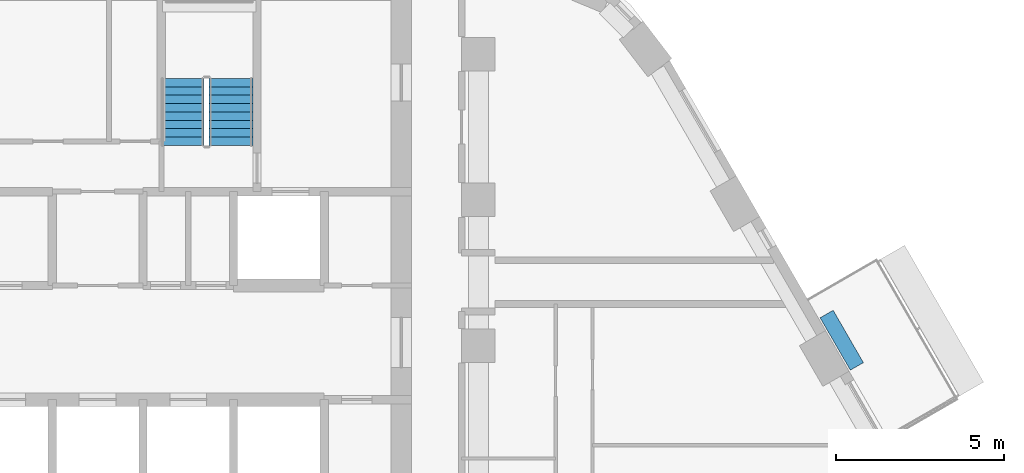
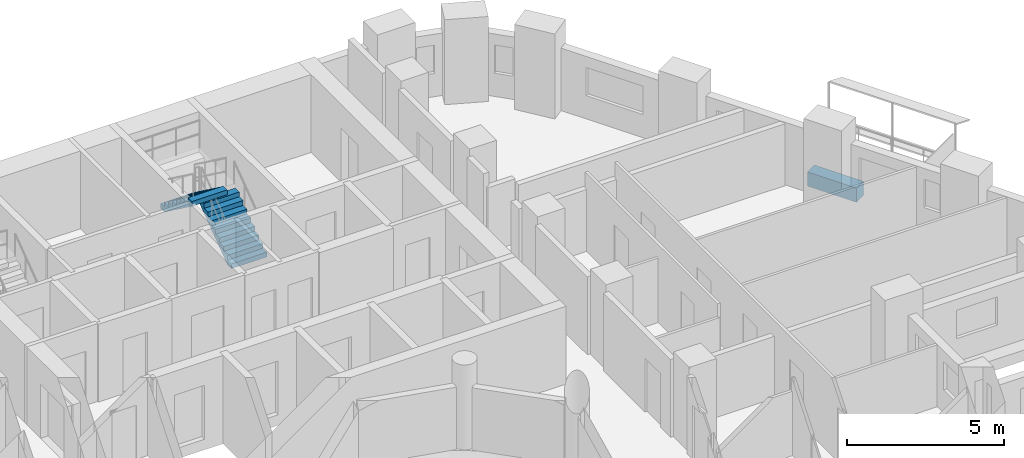
# One storey, part 9 of 13: 2 stair flights, 1 discrete accessory, 1 element without a shape of its own.
"""IFC4 building model written with IfcOpenShell, lengths in metres."""

from ifc_helpers import new_model, si_unit, direction, frame, origin, origin_2d, place, context, subcontext, project, spatial, polyline, rectangle, outline, extrude, material, type_object, element, aggregate, save


model = new_model("IFC4")

# Units and contexts
model_context = context("Model", 3, precision=1e-05, world=origin(), true_north=direction((0.0, 1.0)))
body_context = subcontext(model_context, "Body", "Model", "MODEL_VIEW")
ifc_project = project(units=[si_unit("LENGTHUNIT", "METRE"), si_unit("AREAUNIT", "SQUARE_METRE"), si_unit("VOLUMEUNIT", "CUBIC_METRE"), si_unit("PLANEANGLEUNIT", "RADIAN"), si_unit("MASSUNIT", "GRAM", prefix="KILO")], contexts=[model_context])

# Site, building, storey
site_placement = place(None, origin())
site = spatial("IfcSite", under=ifc_project, at=site_placement, CompositionType="ELEMENT")
building_placement = place(site_placement, origin())
building = spatial("IfcBuilding", under=site, at=building_placement, Name="Nakaniwa Court", CompositionType="ELEMENT")
storey_placement = place(building_placement, frame((0.0, 0.0, 77.699951171875)))
storey = spatial("IfcBuildingStorey", under=building, at=storey_placement, Name="L19", CompositionType="ELEMENT", Elevation=77.699951171875)

# Stair, stair flights
ifc_material_1 = material(Name="Concrete C80/100", Category="concrete")
stair_type = type_object("IfcStairType", Name="Dog leg stair 1300 wide 18 risers", PredefinedType="HALF_TURN_STAIR", material=ifc_material_1)
stair_placement = place(storey_placement, origin())
stair = element("IfcStair", 1, at=stair_placement, inside=storey, type_object=stair_type, Name="L19 Stair ST2", PredefinedType="HALF_TURN_STAIR")
stair_flight_type = type_object("IfcStairFlightType", Name="Stair flight 1300 wide 9 risers", PredefinedType="STRAIGHT", material=ifc_material_1)
stair_flight_1_placement = place(storey_placement, frame((82.625, 98.27490234375, 0.0), z_axis=(0.0, 0.0, 1.0), x_axis=(0.0, 1.0, 0.0)))
stair_flight_1 = element("IfcStairFlight", 2, at=stair_flight_1_placement, type_object=stair_flight_type, Name="ST2 flight 1", NumberOfRisers=9, NumberOfTreads=8, PredefinedType="STRAIGHT", RiserHeight=0.183333333, TreadLength=0.25, context=body_context, shape_type="SweptSolid", body=[
    extrude(outline(polyline([(0.0, 0.0), (0.0, 0.026123046875), (0.0, 0.052490234375), (0.0, 0.07861328125), (0.0, 0.104736328125), (0.0, 0.130859375), (0.0, 0.1572265625), (0.0, 0.183349609375), (0.25, 0.183349609375), (0.25, 0.36669921875), (0.5, 0.36669921875), (0.5, 0.550048828125), (0.75, 0.550048828125), (0.75, 0.7333984375), (1.0, 0.7333984375), (1.0, 0.916748046875), (1.25, 0.916748046875), (1.25, 1.10009765625), (1.5, 1.10009765625), (1.5, 1.283447265625), (1.75, 1.283447265625), (1.75, 1.466552734375), (2.0, 1.466552734375), (2.0, 1.64990234375), (2.0, 1.59716796875), (2.0, 1.54443359375), (2.0, 1.49169921875), (2.0, 1.43896484375), (2.0, 1.38623046875), (2.0, 1.33349609375), (2.0, 1.28076171875), (0.25341796875, 0.0), (0.0, 0.0)])), frame((0.0, 0.64990234375, 0.0), z_axis=(0.0, -1.0, 0.0), x_axis=(1.0, 0.0, 0.0)), (0.0, 0.0, 1.0), 1.300048828125),
])
stair_flight_2_placement = place(storey_placement, frame((81.175048828125, 100.27490234375, 1.650146484375), z_axis=(0.0, 0.0, 1.0), x_axis=(0.0, -1.0, 0.0)))
stair_flight_2 = element("IfcStairFlight", 3, at=stair_flight_2_placement, type_object=stair_flight_type, Name="ST2 flight 2", NumberOfRisers=9, NumberOfTreads=8, PredefinedType="STRAIGHT", RiserHeight=0.183333333, TreadLength=0.25, context=body_context, shape_type="SweptSolid", body=[
    extrude(outline(polyline([(0.0, 0.0), (0.0, 0.026123046875), (0.0, 0.052490234375), (0.0, 0.07861328125), (0.0, 0.104736328125), (0.0, 0.130859375), (0.0, 0.1572265625), (0.0, 0.183349609375), (0.25, 0.183349609375), (0.25, 0.36669921875), (0.5, 0.36669921875), (0.5, 0.550048828125), (0.75, 0.550048828125), (0.75, 0.7333984375), (1.0, 0.7333984375), (1.0, 0.916748046875), (1.25, 0.916748046875), (1.25, 1.10009765625), (1.5, 1.10009765625), (1.5, 1.283447265625), (1.75, 1.283447265625), (1.75, 1.466552734375), (2.0, 1.466552734375), (2.0, 1.64990234375), (2.0, 1.59716796875), (2.0, 1.54443359375), (2.0, 1.49169921875), (2.0, 1.43896484375), (2.0, 1.38623046875), (2.0, 1.33349609375), (2.0, 1.28076171875), (0.25341796875, 0.0), (0.0, 0.0)])), frame((0.0, 0.64990234375, 0.0), z_axis=(0.0, -1.0, 0.0), x_axis=(1.0, 0.0, 0.0)), (0.0, 0.0, 1.0), 1.300048828125),
])
aggregate(stair, [stair_flight_1, stair_flight_2])

# Discrete accessory
ifc_material_2 = material(Name="Precast concrete C40/50 planter with planted soil", Category="concrete")
discrete_accessory_type = type_object("IfcDiscreteAccessoryType", Name="Planter box charcoal concrete", PredefinedType="USERDEFINED", material=ifc_material_2)
discrete_accessory_placement = place(storey_placement, frame((100.83154296875, 92.46875, -0.0498046875), z_axis=(0.0, 0.0, 1.0), x_axis=(-0.499974304289, 0.866040238702, 0.0)))
element("IfcDiscreteAccessory", 4, at=discrete_accessory_placement, inside=storey, type_object=discrete_accessory_type, Name="L19 balcony PLANTER 01", ObjectType="PLANTER", PredefinedType="USERDEFINED", context=body_context, shape_type="SweptSolid", body=[
    extrude(rectangle(XDim=1.803955078125, YDim=0.449951171875, at=origin_2d()), origin(), (0.0, 0.0, 1.0), 0.550048828125),
])

save(model, "model.ifc")
